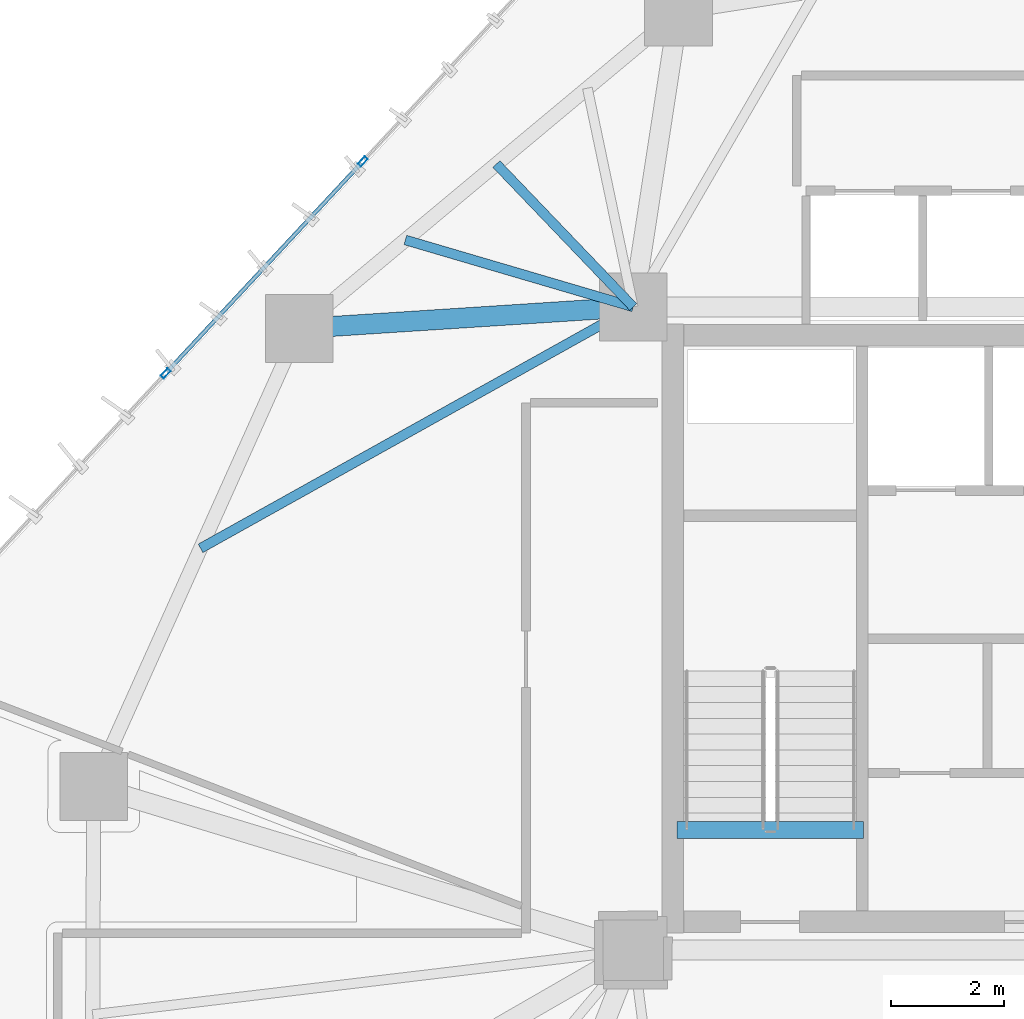
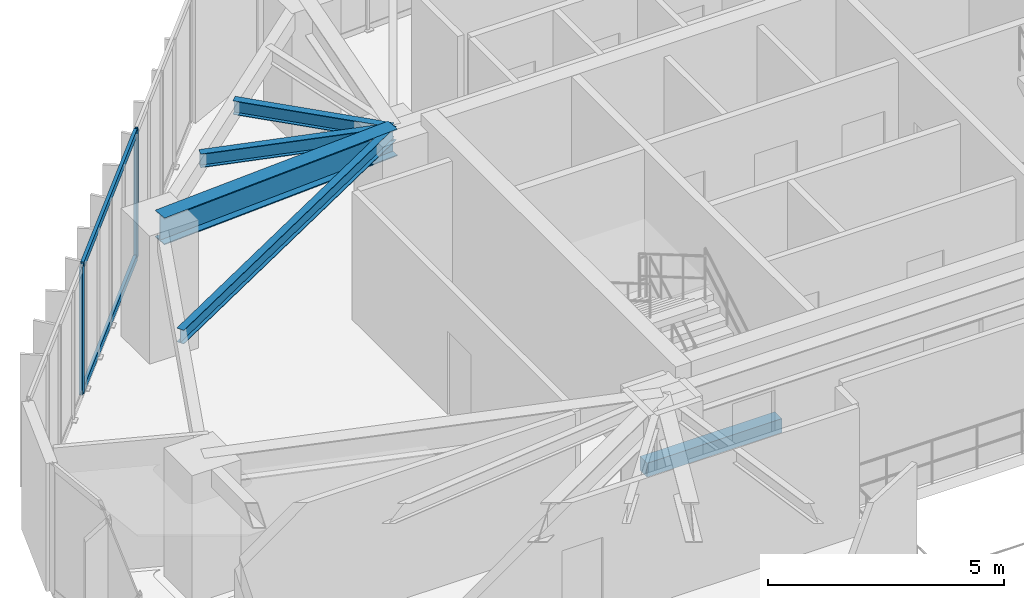
# One storey, part 10 of 23: 5 beams, 4 members, 1 element without a shape of its own.
"""IFC4 building model written with IfcOpenShell, lengths in metres."""

from ifc_helpers import new_model, si_unit, direction, frame, origin, origin_2d, place, context, subcontext, project, spatial, rectangle, hollow_rectangle, i_section, extrude, source, transform, mapped, material, layer, layer_set, material_profile, profile_set, type_object, type_shapes, element, aggregate, save


model = new_model("IFC4")

# Units and contexts
model_context = context("Model", 3, precision=1e-05, world=origin(), true_north=direction((0.0, 1.0)))
body_context = subcontext(model_context, "Body", "Model", "MODEL_VIEW")
ifc_project = project(units=[si_unit("LENGTHUNIT", "METRE"), si_unit("AREAUNIT", "SQUARE_METRE"), si_unit("VOLUMEUNIT", "CUBIC_METRE"), si_unit("PLANEANGLEUNIT", "RADIAN"), si_unit("MASSUNIT", "GRAM", prefix="KILO")], contexts=[model_context])

# Site, building, storey
site_placement = place(None, origin())
site = spatial("IfcSite", under=ifc_project, at=site_placement, CompositionType="ELEMENT")
building_placement = place(site_placement, origin())
building = spatial("IfcBuilding", under=site, at=building_placement, Name="Talar Marvaseh", CompositionType="ELEMENT")
storey_placement = place(building_placement, frame((0.0, 0.0, 100.199951171875)))
storey = spatial("IfcBuildingStorey", under=building, at=storey_placement, Name="L25", CompositionType="ELEMENT", Elevation=100.199951171875)

# Beams
ifc_material_1 = material(Name="Concrete C40/50", Category="concrete")
ifc_material_profile_1 = material_profile(ifc_material_1, rectangle(XDim=0.300048828125, YDim=0.360107421875, at=origin_2d()), Name="RC300x360")
ifc_profile_set_1 = profile_set([ifc_material_profile_1], Name="Concrete C40/50")
beam_type_1 = type_object("IfcBeamType", Name="Concrete Stair Landing Trimmer Beam RC300x360", PredefinedType="SPANDREL", material=ifc_profile_set_1)
beam_1_placement = place(storey_placement, frame((22.780029296875, 27.6298828125, -0.179931640625), z_axis=(-1.0, 0.0, 0.0), x_axis=(0.0, -1.0, 0.0)))
element("IfcBeam", 1, at=beam_1_placement, inside=storey, type_object=beam_type_1, Name="L25 ST-1 Stair Nosing Trimmer Beam", PredefinedType="SPANDREL", context=body_context, shape_type="SweptSolid", body=[
    extrude(rectangle(XDim=0.300048828125, YDim=0.360107421875, at=origin_2d()), origin(), (0.0, 0.0, 1.0), 3.300048828125),
])
ifc_material_2 = material(Name="Steel S355", Category="steel")
ifc_material_profile_2 = material_profile(ifc_material_2, i_section(OverallWidth=0.35498046875, OverallDepth=0.695068359375, WebThickness=0.015380859375, FlangeThickness=0.02490234375, at=origin_2d()), Name="W690x217")
ifc_profile_set_2 = profile_set([ifc_material_profile_2], Name="Steel S355")
beam_type_2 = type_object("IfcBeamType", Name="Zone 2 Radial Floor Girder W690x217", PredefinedType="BEAM", material=ifc_profile_set_2)
beam_2_placement = place(storey_placement, frame((12.780029296875, 36.51708984375, 2.962646484375), z_axis=(0.997915745008, 0.064530348407, 0.0), x_axis=(-0.064530348407, 0.997915745008, 0.0)))
element("IfcBeam", 2, at=beam_2_placement, inside=storey, type_object=beam_type_2, Name="L25 Zone 2 Radial Floor Girder W690x217", PredefinedType="BEAM", context=body_context, shape_type="SweptSolid", body=[
    extrude(i_section(OverallWidth=0.35498046875, OverallDepth=0.695068359375, WebThickness=0.015380859375, FlangeThickness=0.02490234375, at=origin_2d()), origin(), (0.0, 0.0, 1.0), 5.932373046875),
])
ifc_material_profile_3 = material_profile(ifc_material_2, i_section(OverallWidth=0.172119140625, OverallDepth=0.35791015625, WebThickness=0.0078125, FlangeThickness=0.01318359375, at=origin_2d()), Name="W360x57")
ifc_profile_set_3 = profile_set([ifc_material_profile_3], Name="Steel S355")
beam_type_3 = type_object("IfcBeamType", Name="Zone 2 Secondary Floor Joist W360x57", PredefinedType="JOIST", material=ifc_profile_set_3)
beam_3_placement = place(storey_placement, frame((11.03173828125, 32.621826171875, 3.131103515625), z_axis=(0.873287668061, 0.487204935128, 0.0), x_axis=(-0.487204935128, 0.873287668061, 0.0)))
element("IfcBeam", 3, at=beam_3_placement, inside=storey, type_object=beam_type_3, Name="L25 Zone 2 Secondary Floor Joist W360x57", PredefinedType="JOIST", context=body_context, shape_type="SweptSolid", body=[
    extrude(i_section(OverallWidth=0.172119140625, OverallDepth=0.35791015625, WebThickness=0.0078125, FlangeThickness=0.01318359375, at=origin_2d()), origin(), (0.0, 0.0, 1.0), 8.78076171875),
])
beam_4_placement = place(storey_placement, frame((14.661865234375, 38.086669921875, 3.131103515625), z_axis=(0.959423672171, -0.281968468587, 0.0), x_axis=(0.281968468587, 0.959423672171, 0.0)))
element("IfcBeam", 4, at=beam_4_placement, inside=storey, type_object=beam_type_3, Name="L25 Zone 2 Secondary Floor Joist W360x57", PredefinedType="JOIST", context=body_context, shape_type="SweptSolid", body=[
    extrude(i_section(OverallWidth=0.172119140625, OverallDepth=0.35791015625, WebThickness=0.0078125, FlangeThickness=0.01318359375, at=origin_2d()), origin(), (0.0, 0.0, 1.0), 4.208984375),
])
beam_5_placement = place(storey_placement, frame((16.27490234375, 39.43212890625, 3.131103515625), z_axis=(0.691657292908, -0.722225857449, 0.0), x_axis=(0.722225857449, 0.691657292908, 0.0)))
element("IfcBeam", 5, at=beam_5_placement, inside=storey, type_object=beam_type_3, Name="L25 Zone 2 Secondary Floor Joist W360x57", PredefinedType="JOIST", context=body_context, shape_type="SweptSolid", body=[
    extrude(i_section(OverallWidth=0.172119140625, OverallDepth=0.35791015625, WebThickness=0.0078125, FlangeThickness=0.01318359375, at=origin_2d()), origin(), (0.0, 0.0, 1.0), 3.506103515625),
])

# Curtain wall, members
ifc_material_3 = material(Name="Architectural Aluminium", Category="aluminium")
ifc_layer = layer(ifc_material_3, 0.199951171875)
ifc_layer_set = layer_set([ifc_layer], Name="Architectural Aluminium")
curtain_wall_type = type_object("IfcCurtainWallType", Name="Unitised Acoustic Library Curtain Wall Z2", PredefinedType="NOTDEFINED", material=ifc_layer_set)
curtain_wall_placement = place(storey_placement, origin())
curtain_wall = element("IfcCurtainWall", 6, at=curtain_wall_placement, inside=storey, type_object=curtain_wall_type, Name="L25 Unitised Acoustic Library Curtain Wall Z2", PredefinedType="NOTDEFINED")
ifc_material_profile_4 = material_profile(ifc_material_3, hollow_rectangle(XDim=0.074951171875, YDim=0.179931640625, WallThickness=0.0048828125, at=origin_2d()), Name="RHS180x75x5")
ifc_profile_set_4 = profile_set([ifc_material_profile_4], Name="Architectural Aluminium")
member_type_1 = type_object("IfcMemberType", Name="Unitised Curtain Wall Standard Mullion RHS180x75x5", PredefinedType="MULLION", material=ifc_profile_set_4)
shared_shape_1 = source(origin(), body_context, "Body", "SweptSolid", [
    extrude(hollow_rectangle(XDim=0.074951171875, YDim=0.179931640625, WallThickness=0.0048828125, at=origin_2d()), origin(), (0.0, 0.0, 1.0), 3.31005859375),
])
type_shapes(member_type_1, [shared_shape_1])
member_1_placement = place(storey_placement, frame((10.411865234375, 35.720458984375, 0.0), z_axis=(0.0, 0.0, 1.0), x_axis=(-0.732159533567, 0.681133186247, 0.0)))
member_1 = element("IfcMember", 7, at=member_1_placement, type_object=member_type_1, Name="CW-Z2 mullion 2", PredefinedType="MULLION", context=body_context, shape_type="MappedRepresentation", body=[
    mapped(shared_shape_1, transform((0.0, 0.0, 0.0), x_axis=(1.0, 0.0, 0.0), y_axis=(0.0, 1.0, 0.0), z_axis=(0.0, 0.0, 1.0), scale=1.0)),
])
member_2_placement = place(storey_placement, frame((13.90625, 39.4765625, 0.0), z_axis=(0.0, 0.0, 1.0), x_axis=(-0.732159533567, 0.681133186247, 0.0)))
member_2 = element("IfcMember", 8, at=member_2_placement, type_object=member_type_1, Name="CW-Z2 mullion 3", PredefinedType="MULLION", context=body_context, shape_type="MappedRepresentation", body=[
    mapped(shared_shape_1, transform((0.0, 0.0, 0.0), x_axis=(1.0, 0.0, 0.0), y_axis=(0.0, 1.0, 0.0), z_axis=(0.0, 0.0, 1.0), scale=1.0)),
])
ifc_material_profile_5 = material_profile(ifc_material_3, hollow_rectangle(XDim=0.074951171875, YDim=0.179931640625, WallThickness=0.0048828125, at=origin_2d()), Name="RHS180x75x5")
ifc_profile_set_5 = profile_set([ifc_material_profile_5], Name="Architectural Aluminium")
member_type_2 = type_object("IfcMemberType", Name="Unitised Curtain Wall Transom RHS180x75x5", PredefinedType="USERDEFINED", material=ifc_profile_set_5)
shared_shape_2 = source(origin(), body_context, "Body", "SweptSolid", [
    extrude(hollow_rectangle(XDim=0.074951171875, YDim=0.179931640625, WallThickness=0.0048828125, at=origin_2d()), origin(), (0.0, 0.0, 1.0), 5.054931640625),
])
type_shapes(member_type_2, [shared_shape_2])
member_3_placement = place(storey_placement, frame((10.4375, 35.748046875, 0.03759765625), z_axis=(0.68114548963, 0.73214808745, 0.0), x_axis=(-0.73214808745, 0.68114548963, 0.0)))
member_3 = element("IfcMember", 9, at=member_3_placement, type_object=member_type_2, Name="CW-Z2 transom 2.1", ObjectType="TRANSOM", PredefinedType="USERDEFINED", context=body_context, shape_type="MappedRepresentation", body=[
    mapped(shared_shape_2, transform((0.0, 0.0, 0.0), x_axis=(1.0, 0.0, 0.0), y_axis=(0.0, 1.0, 0.0), z_axis=(0.0, 0.0, 1.0), scale=1.0)),
])
member_4_placement = place(storey_placement, frame((10.4375, 35.748046875, 3.2724609375), z_axis=(0.68114548963, 0.73214808745, 0.0), x_axis=(-0.73214808745, 0.68114548963, 0.0)))
member_4 = element("IfcMember", 10, at=member_4_placement, type_object=member_type_2, Name="CW-Z2 transom 2.2", ObjectType="TRANSOM", PredefinedType="USERDEFINED", context=body_context, shape_type="MappedRepresentation", body=[
    mapped(shared_shape_2, transform((0.0, 0.0, 0.0), x_axis=(1.0, 0.0, 0.0), y_axis=(0.0, 1.0, 0.0), z_axis=(0.0, 0.0, 1.0), scale=1.0)),
])
aggregate(curtain_wall, [member_1, member_2, member_3, member_4])

save(model, "model.ifc")
